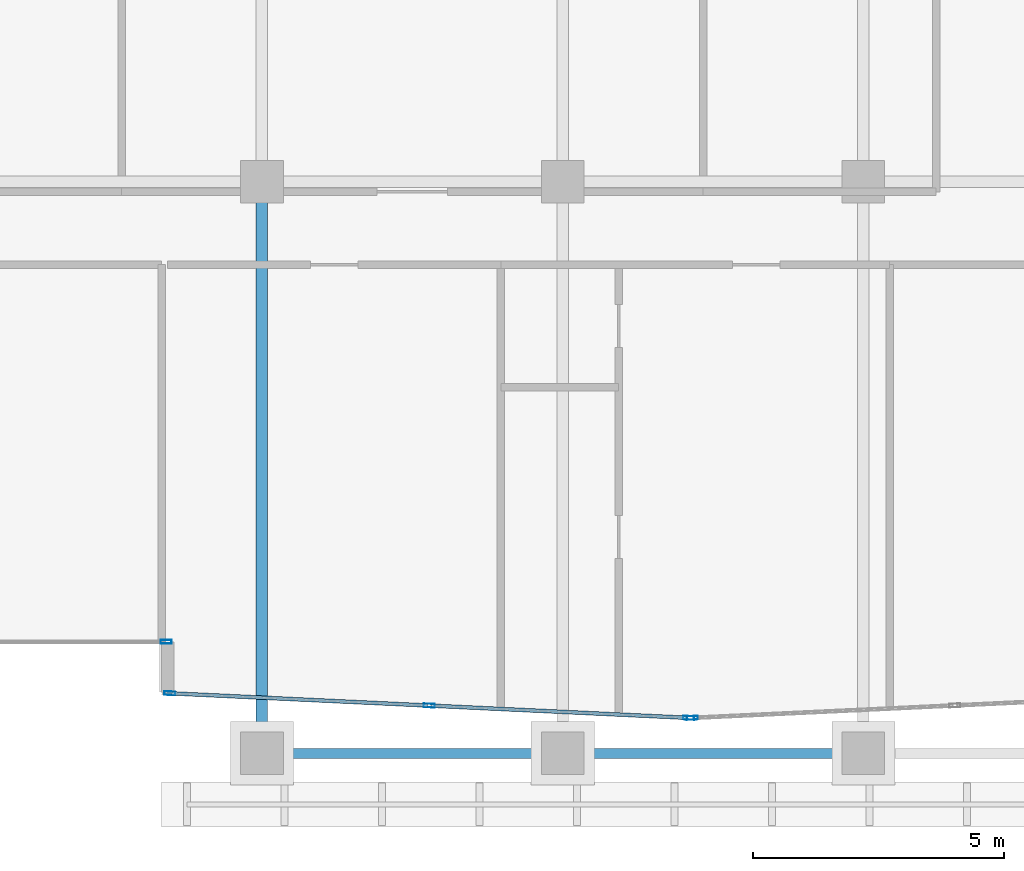
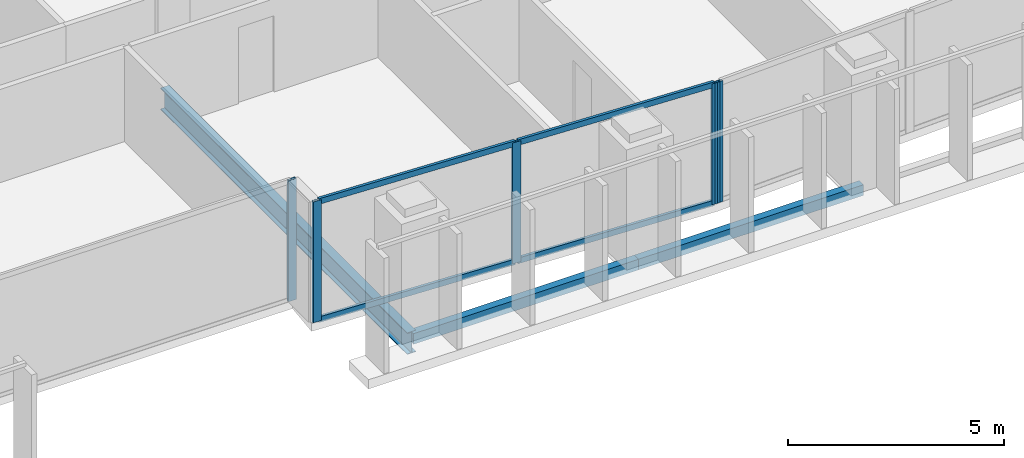
# One storey, part 5 of 29: 9 members, 3 beams, 3 elements without a shape of their own.
"""IFC4 building model written with IfcOpenShell, lengths in metres."""

from ifc_helpers import new_model, si_unit, direction, frame, origin, origin_2d, place, context, subcontext, project, spatial, hollow_rectangle, i_section, extrude, material, layer, layer_set, material_profile, profile_set, type_object, element, aggregate, save


model = new_model("IFC4")

# Units and contexts
model_context = context("Model", 3, precision=1e-05, world=origin(), true_north=direction((0.0, 1.0)))
body_context = subcontext(model_context, "Body", "Model", "MODEL_VIEW")
ifc_project = project(units=[si_unit("LENGTHUNIT", "METRE"), si_unit("AREAUNIT", "SQUARE_METRE"), si_unit("VOLUMEUNIT", "CUBIC_METRE"), si_unit("PLANEANGLEUNIT", "RADIAN"), si_unit("MASSUNIT", "GRAM", prefix="KILO")], contexts=[model_context])

# Site, building, storey
site_placement = place(None, origin())
site = spatial("IfcSite", under=ifc_project, at=site_placement, CompositionType="ELEMENT")
building_placement = place(site_placement, origin())
building = spatial("IfcBuilding", under=site, at=building_placement, Name="Tanjung Sevakor Pilgrim Tower", CompositionType="ELEMENT")
storey_placement = place(building_placement, frame((0.0, 0.0, 162.030029296875)))
storey = spatial("IfcBuildingStorey", under=building, at=storey_placement, Name="L45", CompositionType="ELEMENT", Elevation=162.030029296875)

# Beams
ifc_material_1 = material(Name="Steel S355J2", Category="steel")
ifc_material_profile_1 = material_profile(ifc_material_1, i_section(OverallWidth=0.22900390625, OverallDepth=0.6123046875, WebThickness=0.011962890625, FlangeThickness=0.01953125, FilletRadius=0.0126953125, at=origin_2d()))
ifc_profile_set_1 = profile_set([ifc_material_profile_1], Name="Steel S355J2")
beam_type_1 = type_object("IfcBeamType", Name="BM-B-G4-UB_610x229x125", PredefinedType="BEAM", material=ifc_profile_set_1)
beam_placement = place(storey_placement, frame((54.0, 13.199951171875, -0.526123046875), z_axis=(0.0, 1.0, 0.0), x_axis=(-1.0, 0.0, 0.0)))
element("IfcBeam", 1, at=beam_placement, inside=storey, type_object=beam_type_1, Name="L45 MAIN Girder 011", PredefinedType="BEAM", context=body_context, shape_type="SweptSolid", body=[
    extrude(i_section(OverallWidth=0.22900390625, OverallDepth=0.6123046875, WebThickness=0.011962890625, FlangeThickness=0.01953125, FilletRadius=0.0126953125, at=origin_2d()), origin(), (0.0, 0.0, 1.0), 11.400146484375),
])
ifc_material_2 = material(Name="Steel S355J2", Category="steel")
ifc_material_profile_2 = material_profile(ifc_material_2, hollow_rectangle(XDim=0.199951171875, YDim=0.300048828125, WallThickness=0.012451171875, at=origin_2d()))
ifc_profile_set_2 = profile_set([ifc_material_profile_2], Name="Steel S355J2")
beam_type_2 = type_object("IfcBeamType", Name="BM-B-SP3-RHS_300x200x12.5", PredefinedType="SPANDREL", material=ifc_profile_set_2)
for number, where, z_axis, x_axis, name in (
    (2, (54.0, 13.199951171875, -0.3701171875), (1.0, 0.0, 0.0), (0.0, 1.0, 0.0), "L45 Spandrel MAIN S-07"),
    (3, (60.0, 13.199951171875, -0.3701171875), (1.0, 0.0, 0.0), (0.0, 1.0, 0.0), "L45 Spandrel MAIN S-09"),
):
    element("IfcBeam", number, at=place(storey_placement, frame(where, z_axis=z_axis, x_axis=x_axis)), inside=storey, type_object=beam_type_2, Name=name, PredefinedType="SPANDREL", context=body_context, shape_type="SweptSolid", body=[
        extrude(hollow_rectangle(XDim=0.199951171875, YDim=0.300048828125, WallThickness=0.012451171875, at=origin_2d()), origin(), (0.0, 0.0, 1.0), 6.0),
    ])

# Curtain wall, member
ifc_material_3 = material(Name="Aluminium 6063-T6 and Low-E Glass", Category="aluminium")
ifc_layer_1 = layer(ifc_material_3, 0.179931640625)
ifc_layer_set_1 = layer_set([ifc_layer_1], Name="CW-SYS-CLEFT")
curtain_wall_type_1 = type_object("IfcCurtainWallType", Name="CW-SYS-CLEFT", PredefinedType="NOTDEFINED", material=ifc_layer_set_1)
curtain_wall_1_placement = place(storey_placement, origin())
curtain_wall_1 = element("IfcCurtainWall", 4, at=curtain_wall_1_placement, inside=storey, type_object=curtain_wall_type_1, Name="L45 Curtain Wall CW-CLF-L45-7", PredefinedType="NOTDEFINED")
ifc_material_4 = material(Name="Aluminium 6063-T6", Category="aluminium")
ifc_material_profile_3 = material_profile(ifc_material_4, hollow_rectangle(XDim=0.074951171875, YDim=0.219970703125, WallThickness=0.0048828125, at=origin_2d()))
ifc_profile_set_3 = profile_set([ifc_material_profile_3], Name="Aluminium 6063-T6")
member_type_1 = type_object("IfcMemberType", Name="TYPE-CWM-2", PredefinedType="MULLION", material=ifc_profile_set_3)
member_1_placement = place(storey_placement, frame((52.08740234375, 15.425048828125, 0.0), z_axis=(0.0, 0.0, 1.0), x_axis=(0.0, 1.0, 0.0)))
member_1 = element("IfcMember", 5, at=member_1_placement, type_object=member_type_1, Name="CW-CLF mullion 2", PredefinedType="MULLION", context=body_context, shape_type="SweptSolid", body=[
    extrude(hollow_rectangle(XDim=0.074951171875, YDim=0.219970703125, WallThickness=0.0048828125, at=origin_2d()), origin(), (0.0, 0.0, 1.0), 3.409912109375),
])
aggregate(curtain_wall_1, [member_1])

# Curtain wall, members
ifc_material_5 = material(Name="Aluminium 6063-T6 and Low-E Glass", Category="aluminium")
ifc_layer_2 = layer(ifc_material_5, 0.199951171875)
ifc_layer_set_2 = layer_set([ifc_layer_2], Name="CW-SYS-PRAY")
curtain_wall_type_2 = type_object("IfcCurtainWallType", Name="CW-SYS-PRAY", PredefinedType="NOTDEFINED", material=ifc_layer_set_2)
curtain_wall_2_placement = place(storey_placement, origin())
curtain_wall_2 = element("IfcCurtainWall", 6, at=curtain_wall_2_placement, inside=storey, type_object=curtain_wall_type_2, Name="L45 Curtain Wall CW-PRY-L45-9", PredefinedType="NOTDEFINED")
member_2_placement = place(storey_placement, frame((52.162353515625, 14.3974609375, 0.0), z_axis=(0.0, 0.0, 1.0), x_axis=(0.047342539306, 0.998878713344, 0.0)))
member_2 = element("IfcMember", 7, at=member_2_placement, type_object=member_type_1, Name="CW-PRY mullion 1", PredefinedType="MULLION", context=body_context, shape_type="SweptSolid", body=[
    extrude(hollow_rectangle(XDim=0.074951171875, YDim=0.219970703125, WallThickness=0.0048828125, at=origin_2d()), origin(), (0.0, 0.0, 1.0), 3.409912109375),
])
member_3_placement = place(storey_placement, frame((57.33740234375, 14.152099609375, 0.0), z_axis=(0.0, 0.0, 1.0), x_axis=(0.047342539306, 0.998878713344, 0.0)))
member_3 = element("IfcMember", 8, at=member_3_placement, type_object=member_type_1, Name="CW-PRY mullion 2", PredefinedType="MULLION", context=body_context, shape_type="SweptSolid", body=[
    extrude(hollow_rectangle(XDim=0.074951171875, YDim=0.219970703125, WallThickness=0.0048828125, at=origin_2d()), origin(), (0.0, 0.0, 1.0), 3.409912109375),
])
member_4_placement = place(storey_placement, frame((62.512451171875, 13.906982421875, 0.0), z_axis=(0.0, 0.0, 1.0), x_axis=(0.047342539306, 0.998878713344, 0.0)))
member_4 = element("IfcMember", 9, at=member_4_placement, type_object=member_type_1, Name="CW-PRY mullion 3", PredefinedType="MULLION", context=body_context, shape_type="SweptSolid", body=[
    extrude(hollow_rectangle(XDim=0.074951171875, YDim=0.219970703125, WallThickness=0.0048828125, at=origin_2d()), origin(), (0.0, 0.0, 1.0), 3.409912109375),
])

# Curtain wall, member
curtain_wall_3_placement = place(storey_placement, origin())
curtain_wall_3 = element("IfcCurtainWall", 10, at=curtain_wall_3_placement, inside=storey, type_object=curtain_wall_type_2, Name="L45 Curtain Wall CW-PRY-L45-10", PredefinedType="NOTDEFINED")
member_5_placement = place(storey_placement, frame((62.58740234375, 13.906982421875, 0.0), z_axis=(0.0, 0.0, 1.0), x_axis=(-0.047347754412, 0.998878466157, 0.0)))
member_5 = element("IfcMember", 11, at=member_5_placement, type_object=member_type_1, Name="CW-PRY mullion 1", PredefinedType="MULLION", context=body_context, shape_type="SweptSolid", body=[
    extrude(hollow_rectangle(XDim=0.074951171875, YDim=0.219970703125, WallThickness=0.0048828125, at=origin_2d()), origin(), (0.0, 0.0, 1.0), 3.409912109375),
])
aggregate(curtain_wall_3, [member_5])

# Member
ifc_material_6 = material(Name="Aluminium 6063-T6", Category="aluminium")
ifc_material_profile_4 = material_profile(ifc_material_6, hollow_rectangle(XDim=0.074951171875, YDim=0.159912109375, WallThickness=0.00439453125, at=origin_2d()))
ifc_profile_set_4 = profile_set([ifc_material_profile_4], Name="Aluminium 6063-T6")
member_type_2 = type_object("IfcMemberType", Name="TYPE-CWT-2", PredefinedType="USERDEFINED", material=ifc_profile_set_4)
member_6_placement = place(storey_placement, frame((52.199951171875, 14.395751953125, 0.037353515625), z_axis=(0.998876667903, -0.047385676299, 0.0), x_axis=(0.047385676299, 0.998876667903, 0.0)))
member_6 = element("IfcMember", 12, at=member_6_placement, type_object=member_type_2, Name="CW-PRY transom 1.1", ObjectType="TRANSOM", PredefinedType="USERDEFINED", context=body_context, shape_type="SweptSolid", body=[
    extrude(hollow_rectangle(XDim=0.074951171875, YDim=0.159912109375, WallThickness=0.00439453125, at=origin_2d()), origin(), (0.0, 0.0, 1.0), 5.105712890625),
])

member_7_placement = place(storey_placement, frame((52.199951171875, 14.395751953125, 3.37255859375), z_axis=(0.998876667903, -0.047385676299, 0.0), x_axis=(0.047385676299, 0.998876667903, 0.0)))
member_7 = element("IfcMember", 13, at=member_7_placement, type_object=member_type_2, Name="CW-PRY transom 1.2", ObjectType="TRANSOM", PredefinedType="USERDEFINED", context=body_context, shape_type="SweptSolid", body=[
    extrude(hollow_rectangle(XDim=0.074951171875, YDim=0.159912109375, WallThickness=0.00439453125, at=origin_2d()), origin(), (0.0, 0.0, 1.0), 5.105712890625),
])

member_8_placement = place(storey_placement, frame((57.375, 14.150390625, 0.037353515625), z_axis=(0.998878930018, -0.047337967483, 0.0), x_axis=(0.047337967483, 0.998878930018, 0.0)))
member_8 = element("IfcMember", 14, at=member_8_placement, type_object=member_type_2, Name="CW-PRY transom 2.1", ObjectType="TRANSOM", PredefinedType="USERDEFINED", context=body_context, shape_type="SweptSolid", body=[
    extrude(hollow_rectangle(XDim=0.074951171875, YDim=0.159912109375, WallThickness=0.00439453125, at=origin_2d()), origin(), (0.0, 0.0, 1.0), 5.105712890625),
])

member_9_placement = place(storey_placement, frame((57.375, 14.150390625, 3.37255859375), z_axis=(0.998878930018, -0.047337967483, 0.0), x_axis=(0.047337967483, 0.998878930018, 0.0)))
member_9 = element("IfcMember", 15, at=member_9_placement, type_object=member_type_2, Name="CW-PRY transom 2.2", ObjectType="TRANSOM", PredefinedType="USERDEFINED", context=body_context, shape_type="SweptSolid", body=[
    extrude(hollow_rectangle(XDim=0.074951171875, YDim=0.159912109375, WallThickness=0.00439453125, at=origin_2d()), origin(), (0.0, 0.0, 1.0), 5.105712890625),
])

aggregate(curtain_wall_2, [member_2, member_3, member_4, member_6, member_7, member_8, member_9])

save(model, "model.ifc")
